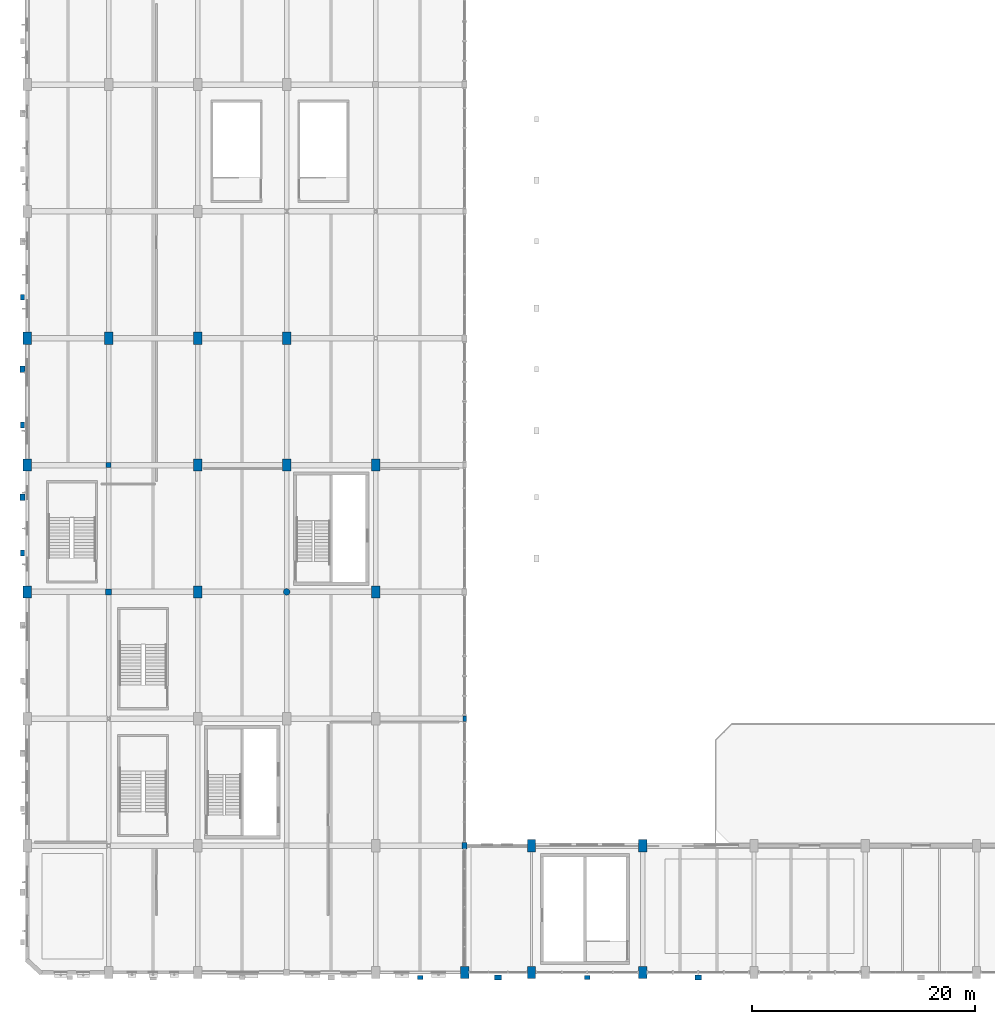
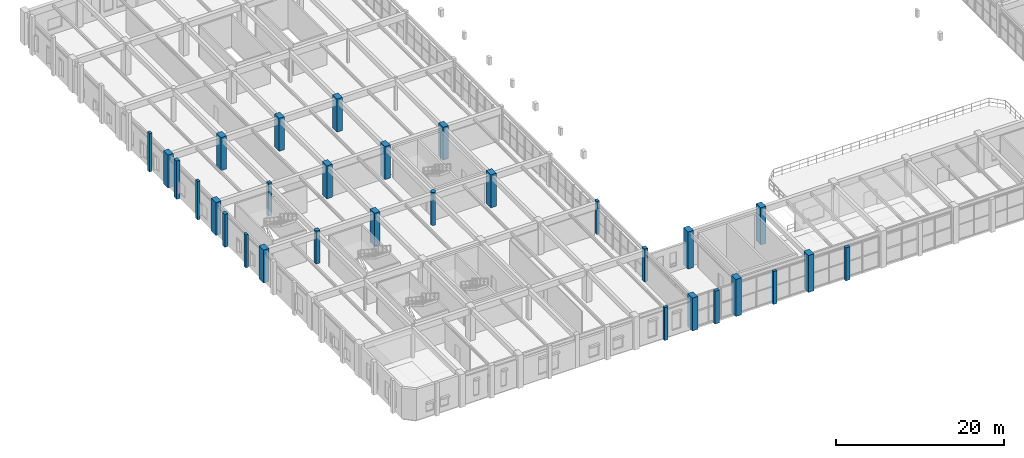
# One storey, part 3 of 106: 30 columns.
"""IFC4 building model written with IfcOpenShell, lengths in metres."""

from ifc_helpers import new_model, si_unit, direction, frame, origin, origin_2d, place, context, subcontext, project, spatial, rectangle, circle, extrude, material, material_profile, profile_set, type_object, element, save


model = new_model("IFC4")

# Units and contexts
model_context = context("Model", 3, precision=1e-05, world=origin(), true_north=direction((0.0, 1.0)))
body_context = subcontext(model_context, "Body", "Model", "MODEL_VIEW")
ifc_project = project(units=[si_unit("LENGTHUNIT", "METRE"), si_unit("AREAUNIT", "SQUARE_METRE"), si_unit("VOLUMEUNIT", "CUBIC_METRE"), si_unit("PLANEANGLEUNIT", "RADIAN"), si_unit("MASSUNIT", "GRAM", prefix="KILO"), si_unit("POWERUNIT", "WATT"), si_unit("THERMODYNAMICTEMPERATUREUNIT", "KELVIN")], contexts=[model_context])

# Site, building, storey
site_placement = place(None, origin())
site = spatial("IfcSite", under=ifc_project, at=site_placement, CompositionType="ELEMENT")
building_placement = place(site_placement, origin())
building = spatial("IfcBuilding", under=site, at=building_placement, Name="Kelmbourne Parkland Aquatics Centre", CompositionType="ELEMENT")
storey_placement = place(building_placement, frame((0.0, 0.0, 5.39990234375)))
storey = spatial("IfcBuildingStorey", under=building, at=storey_placement, Name="L01", CompositionType="ELEMENT", Elevation=5.39990234375)

# Columns
ifc_material_1 = material(Name="Concrete C40/50", Category="concrete")
ifc_material_profile_1 = material_profile(ifc_material_1, rectangle(XDim=0.75, YDim=1.10009765625, at=origin_2d()), Name="RC 750x1100")
ifc_profile_set_1 = profile_set([ifc_material_profile_1], Name="Concrete C40/50")
column_type_1 = type_object("IfcColumnType", Name="COL-C03", PredefinedType="COLUMN", material=ifc_profile_set_1)
for number, where, z_axis, x_axis, name in (
    (1, (0.699951171875, 35.0, 0.0), (0.0, 0.0, 1.0), (1.0, 0.0, 0.0), "Structural column A-05 (L01)"),
    (2, (0.699951171875, 46.39990234375, 0.0), (0.0, 0.0, 1.0), (1.0, 0.0, 0.0), "Structural column A-06 (L01)"),
    (3, (0.699951171875, 57.800048828125, 0.0), (0.0, 0.0, 1.0), (1.0, 0.0, 0.0), "Structural column A-08 (L01)"),
    (4, (8.0, 57.800048828125, 0.0), (0.0, 0.0, 1.0), (1.0, 0.0, 0.0), "Structural column B-08 (L01)"),
    (5, (16.0, 35.0, 0.0), (0.0, 0.0, 1.0), (1.0, 0.0, 0.0), "Structural column C-05 (L01)"),
    (6, (16.0, 46.39990234375, 0.0), (0.0, 0.0, 1.0), (1.0, 0.0, 0.0), "Structural column C-06 (L01)"),
    (7, (16.0, 57.800048828125, 0.0), (0.0, 0.0, 1.0), (1.0, 0.0, 0.0), "Structural column C-08 (L01)"),
    (8, (24.0, 46.39990234375, 0.0), (0.0, 0.0, 1.0), (1.0, 0.0, 0.0), "Structural column D-06 (L01)"),
    (9, (24.0, 57.800048828125, 0.0), (0.0, 0.0, 1.0), (1.0, 0.0, 0.0), "Structural column D-08 (L01)"),
    (10, (32.0, 35.0, 0.0), (0.0, 0.0, 1.0), (1.0, 0.0, 0.0), "Structural column E-05 (L01)"),
    (11, (32.0, 46.39990234375, 0.0), (0.0, 0.0, 1.0), (1.0, 0.0, 0.0), "Structural column E-06 (L01)"),
    (12, (40.0, 0.800048828125, 0.0), (0.0, 0.0, 1.0), (1.0, 0.0, 0.0), "Structural column F-01 (L01)"),
):
    element("IfcColumn", number, at=place(storey_placement, frame(where, z_axis=z_axis, x_axis=x_axis)), inside=storey, type_object=column_type_1, Name=name, PredefinedType="COLUMN", context=body_context, shape_type="SweptSolid", body=[
        extrude(rectangle(XDim=0.75, YDim=1.10009765625, at=origin_2d()), origin(), (0.0, 0.0, 1.0), 4.800048828125),
    ])
for number, where, z_axis, x_axis, name in (
    (13, (46.0, 0.800048828125, 0.0), (0.0, 0.0, 1.0), (1.0, 0.0, 0.0), "Structural column G-01 (L01)"),
    (14, (46.0, 12.199951171875, 0.0), (0.0, 0.0, 1.0), (1.0, 0.0, 0.0), "Structural column G-03 (L01)"),
    (15, (56.0, 0.800048828125, 0.0), (0.0, 0.0, 1.0), (1.0, 0.0, 0.0), "Structural column H-01 (L01)"),
    (16, (56.0, 12.199951171875, 0.0), (0.0, 0.0, 1.0), (1.0, 0.0, 0.0), "Structural column H-03 (L01)"),
):
    element("IfcColumn", number, at=place(storey_placement, frame(where, z_axis=z_axis, x_axis=x_axis)), inside=storey, type_object=column_type_1, Name=name, PredefinedType="COLUMN", context=body_context, shape_type="SweptSolid", body=[
        extrude(rectangle(XDim=0.75, YDim=1.10009765625, at=origin_2d()), origin(), (0.0, 0.0, 1.0), 5.400146484375),
    ])
ifc_material_profile_2 = material_profile(ifc_material_1, rectangle(XDim=0.550048828125, YDim=0.550048828125, at=origin_2d()), Name="RC 550x550")
ifc_profile_set_2 = profile_set([ifc_material_profile_2], Name="Concrete C40/50")
column_type_2 = type_object("IfcColumnType", Name="COL-C07", PredefinedType="COLUMN", material=ifc_profile_set_2)
column_1_placement = place(storey_placement, frame((8.0, 35.0, 0.0), z_axis=(0.0, 0.0, 1.0), x_axis=(1.0, 0.0, 0.0)))
element("IfcColumn", 17, at=column_1_placement, inside=storey, type_object=column_type_2, Name="Structural column B-05 (L01)", PredefinedType="COLUMN", context=body_context, shape_type="SweptSolid", body=[
    extrude(rectangle(XDim=0.550048828125, YDim=0.550048828125, at=origin_2d()), origin(), (0.0, 0.0, 1.0), 4.800048828125),
])
ifc_material_profile_3 = material_profile(ifc_material_1, rectangle(XDim=0.449951171875, YDim=0.449951171875, at=origin_2d()), Name="RC 450x450")
ifc_profile_set_3 = profile_set([ifc_material_profile_3], Name="Concrete C40/50")
column_type_3 = type_object("IfcColumnType", Name="COL-C08", PredefinedType="COLUMN", material=ifc_profile_set_3)
column_2_placement = place(storey_placement, frame((8.0, 46.39990234375, 0.0), z_axis=(0.0, 0.0, 1.0), x_axis=(1.0, 0.0, 0.0)))
element("IfcColumn", 18, at=column_2_placement, inside=storey, type_object=column_type_3, Name="Structural column B-06 (L01)", PredefinedType="COLUMN", context=body_context, shape_type="SweptSolid", body=[
    extrude(rectangle(XDim=0.449951171875, YDim=0.449951171875, at=origin_2d()), origin(), (0.0, 0.0, 1.0), 4.800048828125),
])
ifc_material_profile_4 = material_profile(ifc_material_1, circle(Radius=0.300048828125, at=origin_2d()), Name="RC D600")
ifc_profile_set_4 = profile_set([ifc_material_profile_4], Name="Concrete C40/50")
column_type_4 = type_object("IfcColumnType", Name="COL-C10", PredefinedType="COLUMN", material=ifc_profile_set_4)
column_3_placement = place(storey_placement, frame((24.0, 35.0, 0.0), z_axis=(0.0, 0.0, 1.0), x_axis=(1.0, 0.0, 0.0)))
element("IfcColumn", 19, at=column_3_placement, inside=storey, type_object=column_type_4, Name="Structural column D-05 (L01)", PredefinedType="COLUMN", context=body_context, shape_type="SweptSolid", body=[
    extrude(circle(Radius=0.300048828125, at=origin_2d()), origin(), (0.0, 0.0, 1.0), 4.800048828125),
])
ifc_material_2 = material(Name="Clay brick masonry AS 3700 M12", Category="masonry")
ifc_material_profile_5 = material_profile(ifc_material_2, rectangle(XDim=0.35009765625, YDim=0.5, at=origin_2d()), Name="PIL 350x500")
ifc_profile_set_5 = profile_set([ifc_material_profile_5], Name="Clay brick masonry AS 3700 M12")
column_type_5 = type_object("IfcColumnType", Name="PIL-PL1", PredefinedType="PILASTER", material=ifc_profile_set_5)
for number, where, z_axis, x_axis, name in (
    (20, (40.0, 23.60009765625, 0.0), (0.0, 0.0, 1.0), (1.0, 0.0, 0.0), "Engaged brick pilaster F-04 (L01)"),
    (21, (0.260009765625, 38.5, 0.0), (0.0, 0.0, 1.0), (1.0, 0.0, 0.0), "Amsterdam School engaged brick buttress W-007 (L01)"),
):
    element("IfcColumn", number, at=place(storey_placement, frame(where, z_axis=z_axis, x_axis=x_axis)), inside=storey, type_object=column_type_5, Name=name, PredefinedType="PILASTER", context=body_context, shape_type="SweptSolid", body=[
        extrude(rectangle(XDim=0.35009765625, YDim=0.5, at=origin_2d()), origin(), (0.0, 0.0, 1.0), 4.800048828125),
    ])
for number, where, z_axis, x_axis, name in (
    (22, (0.260009765625, 50.0, 0.0), (0.0, 0.0, 1.0), (1.0, 0.0, 0.0), "Amsterdam School engaged brick buttress W-009 (L01)"),
    (23, (0.260009765625, 61.5, 0.0), (0.0, 0.0, 1.0), (1.0, 0.0, 0.0), "Amsterdam School engaged brick buttress W-011 (L01)"),
):
    element("IfcColumn", number, at=place(storey_placement, frame(where, z_axis=z_axis, x_axis=x_axis)), inside=storey, type_object=column_type_5, Name=name, PredefinedType="PILASTER", context=body_context, shape_type="SweptSolid", body=[
        extrude(rectangle(XDim=0.35009765625, YDim=0.5, at=origin_2d()), origin(), (0.0, 0.0, 1.0), 5.60009765625),
    ])
for number, where, z_axis, x_axis, name in (
    (24, (36.0, 0.35009765625, 0.0), (0.0, 0.0, 1.0), (0.0, 1.0, 0.0), "Amsterdam School engaged brick buttress S-023 (L01)"),
    (25, (51.0, 0.35009765625, 0.0), (0.0, 0.0, 1.0), (0.0, 1.0, 0.0), "Amsterdam School engaged brick buttress S-025 (L01)"),
):
    element("IfcColumn", number, at=place(storey_placement, frame(where, z_axis=z_axis, x_axis=x_axis)), inside=storey, type_object=column_type_5, Name=name, PredefinedType="PILASTER", context=body_context, shape_type="SweptSolid", body=[
        extrude(rectangle(XDim=0.35009765625, YDim=0.5, at=origin_2d()), origin(), (0.0, 0.0, 1.0), 4.800048828125),
    ])
ifc_material_profile_6 = material_profile(ifc_material_2, rectangle(XDim=0.449951171875, YDim=0.60009765625, at=origin_2d()), Name="PIL 450x600")
ifc_profile_set_6 = profile_set([ifc_material_profile_6], Name="Clay brick masonry AS 3700 M12")
column_type_6 = type_object("IfcColumnType", Name="PIL-PL2", PredefinedType="PILASTER", material=ifc_profile_set_6)
for number, where, z_axis, x_axis, name in (
    (26, (40.0, 12.199951171875, 0.0), (0.0, 0.0, 1.0), (1.0, 0.0, 0.0), "Engaged brick pilaster F-03 (L01)"),
    (27, (0.260009765625, 43.5, 0.0), (0.0, 0.0, 1.0), (1.0, 0.0, 0.0), "Amsterdam School engaged brick buttress W-008 (L01)"),
):
    element("IfcColumn", number, at=place(storey_placement, frame(where, z_axis=z_axis, x_axis=x_axis)), inside=storey, type_object=column_type_6, Name=name, PredefinedType="PILASTER", context=body_context, shape_type="SweptSolid", body=[
        extrude(rectangle(XDim=0.449951171875, YDim=0.60009765625, at=origin_2d()), origin(), (0.0, 0.0, 1.0), 4.800048828125),
    ])
column_4_placement = place(storey_placement, frame((0.260009765625, 55.0, 0.0), z_axis=(0.0, 0.0, 1.0), x_axis=(1.0, 0.0, 0.0)))
element("IfcColumn", 28, at=column_4_placement, inside=storey, type_object=column_type_6, Name="Amsterdam School engaged brick buttress W-010 (L01)", PredefinedType="PILASTER", context=body_context, shape_type="SweptSolid", body=[
    extrude(rectangle(XDim=0.449951171875, YDim=0.60009765625, at=origin_2d()), origin(), (0.0, 0.0, 1.0), 5.60009765625),
])
for number, where, z_axis, x_axis, name in (
    (29, (43.0, 0.35009765625, 0.0), (0.0, 0.0, 1.0), (0.0, 1.0, 0.0), "Amsterdam School engaged brick buttress S-024 (L01)"),
    (30, (61.0, 0.35009765625, 0.0), (0.0, 0.0, 1.0), (0.0, 1.0, 0.0), "Amsterdam School engaged brick buttress S-026 (L01)"),
):
    element("IfcColumn", number, at=place(storey_placement, frame(where, z_axis=z_axis, x_axis=x_axis)), inside=storey, type_object=column_type_6, Name=name, PredefinedType="PILASTER", context=body_context, shape_type="SweptSolid", body=[
        extrude(rectangle(XDim=0.449951171875, YDim=0.60009765625, at=origin_2d()), origin(), (0.0, 0.0, 1.0), 4.800048828125),
    ])

save(model, "model.ifc")
